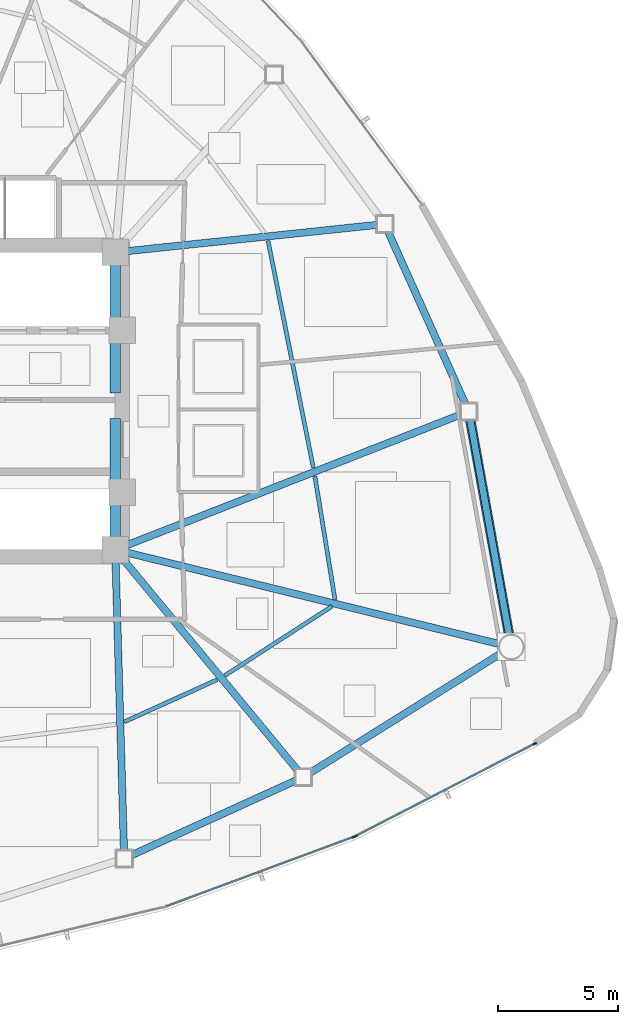
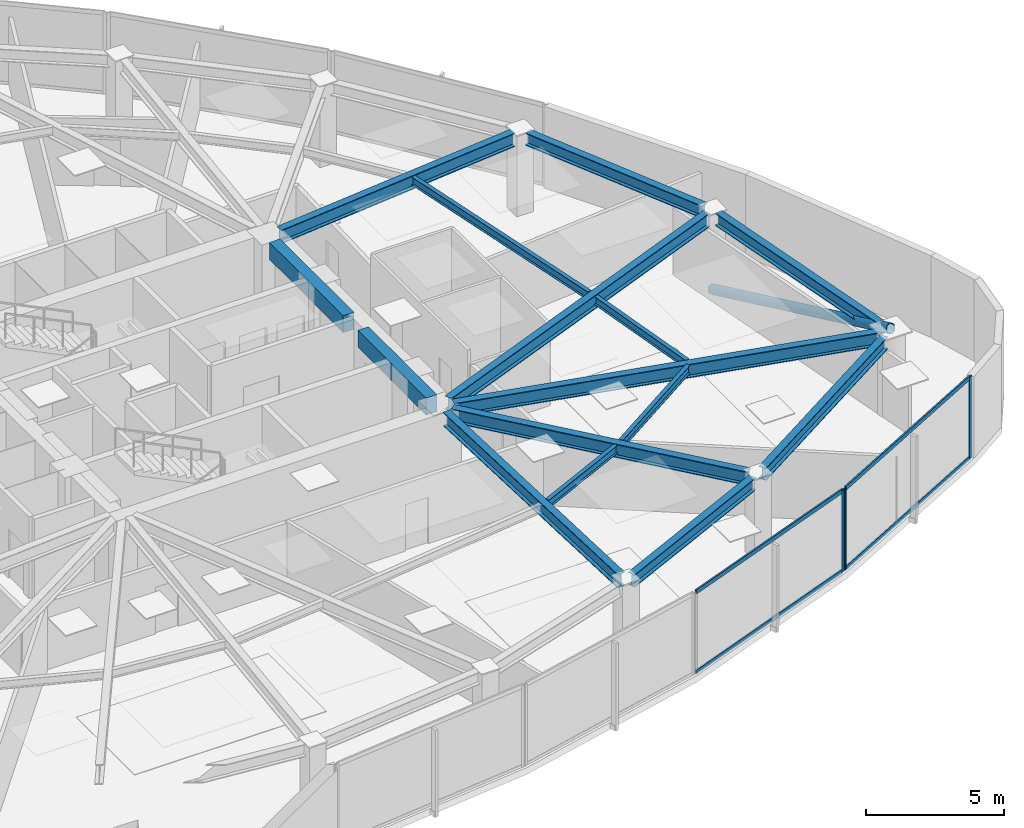
# One storey, part 6 of 17: 15 beams, 8 members, 2 elements without a shape of their own.
"""IFC4 building model written with IfcOpenShell, lengths in metres."""

import ifcopenshell
import ifcopenshell.guid

model = None  # the IFC model being written
_history = None  # IfcOwnerHistory: only IFC2X3 demands one
_inside = {}  # id of a spatial element -> (the spatial element, [elements in it])
_under = {}  # id of a project, library or spatial element -> (it, [spatial elements below it])
_declared = {}  # id of a project -> (the project, [libraries it declares])
_typed = {}  # id of a type object -> (the type object, [elements of that type])
_made_of = {}  # id of a material, layer set ... -> (it, [elements and type objects made of it])


def new_model(schema):
    """Start an empty IFC model of exactly this schema.

    Asked for "IFC4X3", IfcOpenShell would pick the latest addendum, in which some entities
    have other attributes; the version numbers below select the first issue.
    IFC2X3 requires an IfcOwnerHistory on every rooted entity: one is made here for all.
    """
    global model, _history
    if schema == "IFC4X3":
        model = ifcopenshell.file(schema_version=(4, 3, 0, 0))
    else:
        model = ifcopenshell.file(schema=schema)
    _inside.clear()
    _under.clear()
    _declared.clear()
    _typed.clear()
    _made_of.clear()
    _history = None
    if model.schema == "IFC2X3":
        org = make("IfcOrganization", Name="unknown")
        user = make(
            "IfcPersonAndOrganization",
            ThePerson=make("IfcPerson", FamilyName="unknown"),
            TheOrganization=org,
        )
        app = make(
            "IfcApplication",
            ApplicationDeveloper=org,
            Version="unknown",
            ApplicationFullName="unknown",
            ApplicationIdentifier="unknown",
        )
        _history = make(
            "IfcOwnerHistory",
            OwningUser=user,
            OwningApplication=app,
            ChangeAction="ADDED",
            CreationDate=0,
        )
    return model


def make(cls, **values):
    """One entity of the class cls with the attributes given. An attribute that is None is left unset."""
    return model.create_entity(
        cls, **{name: value for name, value in values.items() if value is not None}
    )


def rooted(cls, **values):
    """An entity with a GlobalId (a new one), such as an element, a storey or a relation."""
    return make(cls, GlobalId=ifcopenshell.guid.new(), OwnerHistory=_history, **values)


def si_unit(unit_type, name, prefix=None):
    """IfcSIUnit, for example si_unit("LENGTHUNIT", "METRE", prefix="MILLI")."""
    return make("IfcSIUnit", UnitType=unit_type, Prefix=prefix, Name=name)


def assignment(units):
    """IfcUnitAssignment: the units of a project."""
    return None if units is None else make("IfcUnitAssignment", Units=units)


def point(xyz):
    """IfcCartesianPoint."""
    return None if xyz is None else make("IfcCartesianPoint", Coordinates=xyz)


def direction(xyz):
    """IfcDirection."""
    return None if xyz is None else make("IfcDirection", DirectionRatios=xyz)


def frame(location, z_axis=None, x_axis=None):
    """IfcAxis2Placement3D, a coordinate frame: its origin and axes. An axis left out is left unset."""
    return make(
        "IfcAxis2Placement3D",
        Location=point(location),
        Axis=direction(z_axis),
        RefDirection=direction(x_axis),
    )


def frame_2d(location, x_axis=None):
    """IfcAxis2Placement2D, a coordinate frame in the plane: its origin and x axis."""
    return make(
        "IfcAxis2Placement2D", Location=point(location), RefDirection=direction(x_axis)
    )


def origin():
    """The frame at (0, 0, 0) with its axes left unset."""
    return frame((0.0, 0.0, 0.0))


def origin_2d():
    """The frame at (0, 0) in the plane with its x axis left unset."""
    return frame_2d((0.0, 0.0))


def place(relative_to, where):
    """IfcLocalPlacement: puts the frame where relative to a parent placement (None: the world)."""
    return make(
        "IfcLocalPlacement", PlacementRelTo=relative_to, RelativePlacement=where
    )


def context(
    kind, dimensions, precision=None, world=None, true_north=None, identifier=None
):
    """IfcGeometricRepresentationContext, for example the 3D "Model" context."""
    return make(
        "IfcGeometricRepresentationContext",
        ContextIdentifier=identifier,
        ContextType=kind,
        CoordinateSpaceDimension=dimensions,
        Precision=precision,
        WorldCoordinateSystem=world,
        TrueNorth=true_north,
    )


def subcontext(parent, identifier, kind, view, scale=None):
    """IfcGeometricRepresentationSubContext, for example "Body" below "Model"."""
    return make(
        "IfcGeometricRepresentationSubContext",
        ContextIdentifier=identifier,
        ContextType=kind,
        ParentContext=parent,
        TargetScale=scale,
        TargetView=view,
    )


def project(units=None, contexts=None):
    """IfcProject with its units and contexts."""
    return rooted(
        "IfcProject",
        Name="project",
        RepresentationContexts=contexts,
        UnitsInContext=assignment(units),
    )


def spatial(cls, under=None, at=None, **own):
    """A site, building, storey or space (cls), placed at a placement, below another one or the project."""
    s = rooted(cls, ObjectPlacement=at, **own)
    if under is not None:
        _under.setdefault(under.id(), (under, []))[1].append(s)
    return s


def profile(cls, at=None, kind="AREA", **sizes):
    """A parametric profile (cls). Its sizes go by their IFC names, for example OverallWidth=200.0."""
    return make(cls, ProfileType=kind, Position=at, **sizes)


def rectangle(**sizes):
    """IfcRectangleProfileDef."""
    return profile("IfcRectangleProfileDef", **sizes)


def hollow_rectangle(**sizes):
    """IfcRectangleHollowProfileDef."""
    return profile("IfcRectangleHollowProfileDef", **sizes)


def hollow_circle(**sizes):
    """IfcCircleHollowProfileDef."""
    return profile("IfcCircleHollowProfileDef", **sizes)


def i_section(**sizes):
    """IfcIShapeProfileDef."""
    return profile("IfcIShapeProfileDef", **sizes)


def extrude(swept, where, along, depth):
    """IfcExtrudedAreaSolid: the profile swept, set in the frame where, extruded along a direction by depth."""
    return make(
        "IfcExtrudedAreaSolid",
        SweptArea=swept,
        Position=where,
        ExtrudedDirection=direction(along),
        Depth=depth,
    )


def shape(context_of_items, identifier, shape_type, items):
    """IfcShapeRepresentation: the items that make up one representation, for example the "Body"."""
    return make(
        "IfcShapeRepresentation",
        ContextOfItems=context_of_items,
        RepresentationIdentifier=identifier,
        RepresentationType=shape_type,
        Items=items,
    )


def source(mapping_origin, context_of_items, identifier, shape_type, items):
    """IfcRepresentationMap: a shape defined once, which mapped items show again and again."""
    return make(
        "IfcRepresentationMap",
        MappingOrigin=mapping_origin,
        MappedRepresentation=shape(context_of_items, identifier, shape_type, items),
    )


def transform(
    local_origin,
    x_axis=None,
    y_axis=None,
    z_axis=None,
    scale=None,
    scale2=None,
    scale3=None,
    uniform=True,
):
    """IfcCartesianTransformationOperator3D, or its non-uniform kind. x_axis, y_axis, z_axis: its Axis1, 2, 3."""
    if uniform:
        return make(
            "IfcCartesianTransformationOperator3D",
            Axis1=direction(x_axis),
            Axis2=direction(y_axis),
            LocalOrigin=point(local_origin),
            Scale=scale,
            Axis3=direction(z_axis),
        )
    return make(
        "IfcCartesianTransformationOperator3DnonUniform",
        Axis1=direction(x_axis),
        Axis2=direction(y_axis),
        LocalOrigin=point(local_origin),
        Scale=scale,
        Axis3=direction(z_axis),
        Scale2=scale2,
        Scale3=scale3,
    )


def mapped(mapping_source, mapping_target):
    """IfcMappedItem: shows the shape of a source again, moved by a transform."""
    return make(
        "IfcMappedItem", MappingSource=mapping_source, MappingTarget=mapping_target
    )


def material(Name=None, Category=None):
    """IfcMaterial."""
    return make("IfcMaterial", Name=Name, Category=Category)


def layer(
    of_material, thickness, ventilated=None, Name=None, Category=None, Priority=None
):
    """IfcMaterialLayer: one layer of a wall or slab, of a material (None: an air gap)."""
    return make(
        "IfcMaterialLayer",
        Material=of_material,
        LayerThickness=thickness,
        IsVentilated=ventilated,
        Name=Name,
        Category=Category,
        Priority=Priority,
    )


def layer_set(layers, Name=None):
    """IfcMaterialLayerSet."""
    return make("IfcMaterialLayerSet", MaterialLayers=layers, LayerSetName=Name)


def material_profile(
    of_material, cross_section, Name=None, Category=None, Priority=None
):
    """IfcMaterialProfile: a cross section and its material."""
    return make(
        "IfcMaterialProfile",
        Name=Name,
        Material=of_material,
        Profile=cross_section,
        Priority=Priority,
        Category=Category,
    )


def profile_set(profiles, Name=None, composite=None):
    """IfcMaterialProfileSet."""
    return make(
        "IfcMaterialProfileSet",
        Name=Name,
        MaterialProfiles=profiles,
        CompositeProfile=composite,
    )


def made_of(thing, what):
    """Note that an element or type object is made of a material, layer set ...; save() writes the relation."""
    if what is not None:
        _made_of.setdefault(what.id(), (what, []))[1].append(thing)
    return thing


def type_object(cls, material=None, **own):
    """A type object (cls), such as IfcWallType, which elements share."""
    return made_of(rooted(cls, **own), material)


def type_shapes(of_type, sources):
    """Give a type object the sources (RepresentationMaps) that its elements show as mapped items."""
    of_type.RepresentationMaps = sources


def element(
    cls,
    number,
    at=None,
    inside=None,
    cuts=None,
    type_object=None,
    material=None,
    context=None,
    identifier="Body",
    shape_type=None,
    held_by="IfcProductDefinitionShape",
    body=None,
    shapes=None,
    **own,
):
    """One element of the class cls, such as IfcWall. Its Tag is "e" and its number.

    at: its placement. inside: the storey or other place that contains it. cuts: it is an
    opening in that element (IfcRelVoidsElement). A single representation is given by context,
    identifier, shape_type and body (its items); several are given by shapes. held_by: the class
    of the entity that holds the representations. save() writes the other relations.
    """
    e = rooted(cls, Tag="e%d" % number, ObjectPlacement=at, **own)
    if body is not None:
        shapes = [shape(context, identifier, shape_type, body)]
    if shapes is not None:
        e.Representation = make(held_by, Representations=shapes)
    if inside is not None:
        _inside.setdefault(inside.id(), (inside, []))[1].append(e)
    if cuts is not None:
        rooted(
            "IfcRelVoidsElement", RelatingBuildingElement=cuts, RelatedOpeningElement=e
        )
    if type_object is not None:
        _typed.setdefault(type_object.id(), (type_object, []))[1].append(e)
    return made_of(e, material)


def aggregate(whole, parts):
    """IfcRelAggregates: a whole, such as a stair, and the parts it consists of."""
    return rooted("IfcRelAggregates", RelatingObject=whole, RelatedObjects=parts)


def save(model, path):
    """Write the relations noted so far, then the file.

    IfcRelAggregates (storeys below a building ...), IfcRelContainedInSpatialStructure (elements
    in a storey), IfcRelDefinesByType, IfcRelAssociatesMaterial and IfcRelDeclares: one each for
    every whole, place, type object, material and project.
    """
    for whole, parts in _under.values():
        aggregate(whole, parts)
    for where, things in _inside.values():
        rooted(
            "IfcRelContainedInSpatialStructure",
            RelatedElements=things,
            RelatingStructure=where,
        )
    for kind, things in _typed.values():
        rooted("IfcRelDefinesByType", RelatedObjects=things, RelatingType=kind)
    for what, things in _made_of.values():
        rooted("IfcRelAssociatesMaterial", RelatedObjects=things, RelatingMaterial=what)
    for by, libraries in _declared.values():
        rooted("IfcRelDeclares", RelatingContext=by, RelatedDefinitions=libraries)
    model.write(path)


model = new_model("IFC4")

# Units and contexts
model_context = context("Model", 3, precision=1e-05, world=origin(), true_north=direction((0.0, 1.0)))
body_context = subcontext(model_context, "Body", "Model", "MODEL_VIEW")
ifc_project = project(units=[si_unit("LENGTHUNIT", "METRE"), si_unit("AREAUNIT", "SQUARE_METRE"), si_unit("VOLUMEUNIT", "CUBIC_METRE"), si_unit("PLANEANGLEUNIT", "RADIAN"), si_unit("MASSUNIT", "GRAM", prefix="KILO")], contexts=[model_context])

# Site, building, storey
site_placement = place(None, origin())
site = spatial("IfcSite", under=ifc_project, at=site_placement, CompositionType="ELEMENT")
building_placement = place(site_placement, origin())
building = spatial("IfcBuilding", under=site, at=building_placement, Name="Tavelor Broadcast Tower", CompositionType="ELEMENT")
storey_placement = place(building_placement, frame((0.0, 0.0, 66.60009765625)))
storey = spatial("IfcBuildingStorey", under=building, at=storey_placement, Name="L15", CompositionType="ELEMENT", Elevation=66.60009765625)

# Beams
ifc_material_1 = material(Name="Concrete C40/50", Category="concrete")
ifc_material_profile_1 = material_profile(ifc_material_1, rectangle(XDim=0.449951171875, YDim=0.75, at=origin_2d()), Name="RC 450x750")
ifc_profile_set_1 = profile_set([ifc_material_profile_1], Name="Concrete C40/50")
beam_type_1 = type_object("IfcBeamType", Name="Basement Core Trim Beam 450x750", PredefinedType="BEAM", material=ifc_profile_set_1)
beam_1_placement = place(storey_placement, frame((56.60009765625, 45.327880859375, 3.224853515625), z_axis=(0.0, 1.0, 0.0), x_axis=(-1.0, 0.0, 0.0)))
element("IfcBeam", 1, at=beam_1_placement, inside=storey, type_object=beam_type_1, Name="L15 Core East-N Tie Girder", PredefinedType="BEAM", context=body_context, shape_type="SweptSolid", body=[
    extrude(rectangle(XDim=0.449951171875, YDim=0.75, at=origin_2d()), origin(), (0.0, 0.0, 1.0), 5.34423828125),
])
beam_2_placement = place(storey_placement, frame((56.60009765625, 39.327880859375, 3.224853515625), z_axis=(0.0, 1.0, 0.0), x_axis=(-1.0, 0.0, 0.0)))
element("IfcBeam", 2, at=beam_2_placement, inside=storey, type_object=beam_type_1, Name="L15 Core East-S Tie Girder", PredefinedType="BEAM", context=body_context, shape_type="SweptSolid", body=[
    extrude(rectangle(XDim=0.449951171875, YDim=0.75, at=origin_2d()), origin(), (0.0, 0.0, 1.0), 4.944091796875),
])
ifc_material_2 = material(Name="Steel S355", Category="steel")
ifc_material_profile_2 = material_profile(ifc_material_2, i_section(OverallWidth=0.169921875, OverallDepth=0.360107421875, WebThickness=0.008056640625, FlangeThickness=0.0126953125, at=origin_2d()), Name="IPE 360")
ifc_profile_set_2 = profile_set([ifc_material_profile_2], Name="Steel S355")
beam_type_2 = type_object("IfcBeamType", Name="Composite Floor Joist T2 IPE 360", PredefinedType="JOIST", material=ifc_profile_set_2)
beam_3_placement = place(storey_placement, frame((56.976318359375, 31.61865234375, 3.419921875), z_axis=(0.910576347723, 0.413340918573, 0.0), x_axis=(-0.413340918573, 0.910576347723, 0.0)))
element("IfcBeam", 3, at=beam_3_placement, inside=storey, type_object=beam_type_2, Name="L15 Secondary Composite Floor Joist 11", PredefinedType="JOIST", context=body_context, shape_type="SweptSolid", body=[
    extrude(i_section(OverallWidth=0.169921875, OverallDepth=0.360107421875, WebThickness=0.008056640625, FlangeThickness=0.0126953125, at=origin_2d()), origin(), (0.0, 0.0, 1.0), 4.26025390625),
])
beam_4_placement = place(storey_placement, frame((61.172607421875, 33.552490234375, 3.419921875), z_axis=(0.839830816691, 0.542848228639, 0.0), x_axis=(-0.542848228639, 0.839830816691, 0.0)))
element("IfcBeam", 4, at=beam_4_placement, inside=storey, type_object=beam_type_2, Name="L15 Secondary Composite Floor Joist 12", PredefinedType="JOIST", context=body_context, shape_type="SweptSolid", body=[
    extrude(i_section(OverallWidth=0.169921875, OverallDepth=0.360107421875, WebThickness=0.008056640625, FlangeThickness=0.0126953125, at=origin_2d()), origin(), (0.0, 0.0, 1.0), 5.325439453125),
])
beam_5_placement = place(storey_placement, frame((65.767822265625, 36.72021484375, 3.419921875), z_axis=(-0.161277112784, 0.986909161419, 0.0), x_axis=(-0.986909161419, -0.161277112784, 0.0)))
element("IfcBeam", 5, at=beam_5_placement, inside=storey, type_object=beam_type_2, Name="L15 Secondary Composite Floor Joist 13", PredefinedType="JOIST", context=body_context, shape_type="SweptSolid", body=[
    extrude(i_section(OverallWidth=0.169921875, OverallDepth=0.360107421875, WebThickness=0.008056640625, FlangeThickness=0.0126953125, at=origin_2d()), origin(), (0.0, 0.0, 1.0), 5.213623046875),
])
beam_6_placement = place(storey_placement, frame((64.8623046875, 42.2216796875, 3.419921875), z_axis=(-0.195581157194, 0.980687519524, 0.0), x_axis=(-0.980687519524, -0.195581157194, 0.0)))
element("IfcBeam", 6, at=beam_6_placement, inside=storey, type_object=beam_type_2, Name="L15 Secondary Composite Floor Joist 14", PredefinedType="JOIST", context=body_context, shape_type="SweptSolid", body=[
    extrude(i_section(OverallWidth=0.169921875, OverallDepth=0.360107421875, WebThickness=0.008056640625, FlangeThickness=0.0126953125, at=origin_2d()), origin(), (0.0, 0.0, 1.0), 9.654296875),
])
ifc_material_profile_3 = material_profile(ifc_material_2, i_section(OverallWidth=0.300048828125, OverallDepth=0.550048828125, WebThickness=0.014892578125, FlangeThickness=0.029052734375, at=origin_2d()), Name="HEB 550")
ifc_profile_set_3 = profile_set([ifc_material_profile_3], Name="Steel S355")
beam_type_3 = type_object("IfcBeamType", Name="Perimeter Spandrel Beam T2 HEB 550", PredefinedType="SPANDREL", material=ifc_profile_set_3)
beam_7_placement = place(storey_placement, frame((57.28125, 26.060546875, 3.324951171875), z_axis=(0.910420869291, 0.413683261395, 0.0), x_axis=(-0.413683261395, 0.910420869291, 0.0)))
element("IfcBeam", 7, at=beam_7_placement, inside=storey, type_object=beam_type_3, Name="L15 Framed-Tube Ring Spandrel 11", PredefinedType="SPANDREL", context=body_context, shape_type="SweptSolid", body=[
    extrude(i_section(OverallWidth=0.300048828125, OverallDepth=0.550048828125, WebThickness=0.014892578125, FlangeThickness=0.029052734375, at=origin_2d()), origin(), (0.0, 0.0, 1.0), 7.531005859375),
])
beam_8_placement = place(storey_placement, frame((64.728271484375, 29.493408203125, 3.324951171875), z_axis=(0.847666386228, 0.530529638813, 0.0), x_axis=(-0.530529638813, 0.847666386228, 0.0)))
element("IfcBeam", 8, at=beam_8_placement, inside=storey, type_object=beam_type_3, Name="L15 Framed-Tube Ring Spandrel 12", PredefinedType="SPANDREL", context=body_context, shape_type="SweptSolid", body=[
    extrude(i_section(OverallWidth=0.300048828125, OverallDepth=0.550048828125, WebThickness=0.014892578125, FlangeThickness=0.029052734375, at=origin_2d()), origin(), (0.0, 0.0, 1.0), 9.385009765625),
])
beam_9_placement = place(storey_placement, frame((73.02685546875, 35.248046875, 3.324951171875), z_axis=(-0.177746542691, 0.984076301189, 0.0), x_axis=(-0.984076301189, -0.177746542691, 0.0)))
element("IfcBeam", 9, at=beam_9_placement, inside=storey, type_object=beam_type_3, Name="L15 Framed-Tube Ring Spandrel 13", PredefinedType="SPANDREL", context=body_context, shape_type="SweptSolid", body=[
    extrude(i_section(OverallWidth=0.300048828125, OverallDepth=0.550048828125, WebThickness=0.014892578125, FlangeThickness=0.029052734375, at=origin_2d()), origin(), (0.0, 0.0, 1.0), 9.13134765625),
])
beam_10_placement = place(storey_placement, frame((71.206787109375, 44.87109375, 3.324951171875), z_axis=(-0.408951132019, 0.912556284084, 0.0), x_axis=(-0.912556284084, -0.408951132019, 0.0)))
element("IfcBeam", 10, at=beam_10_placement, inside=storey, type_object=beam_type_3, Name="L15 Framed-Tube Ring Spandrel 14", PredefinedType="SPANDREL", context=body_context, shape_type="SweptSolid", body=[
    extrude(i_section(OverallWidth=0.300048828125, OverallDepth=0.550048828125, WebThickness=0.014892578125, FlangeThickness=0.029052734375, at=origin_2d()), origin(), (0.0, 0.0, 1.0), 7.895263671875),
])

# Member
ifc_material_profile_4 = material_profile(ifc_material_2, hollow_circle(Radius=0.203125, WallThickness=0.02001953125, at=origin_2d()), Name="CHS 406.4x20")
ifc_profile_set_4 = profile_set([ifc_material_profile_4], Name="Steel S355")
member_type_1 = type_object("IfcMemberType", Name="Perimeter Tube Brace T2 CHS 406.4x20", PredefinedType="BRACE", material=ifc_profile_set_4)
member_1_placement = place(storey_placement, frame((71.343994140625, 44.564697265625, 0.0), z_axis=(0.167207286332, -0.925692306634, 0.339316190059), x_axis=(0.984075144607, 0.177752945874, 0.0)))
element("IfcMember", 11, at=member_1_placement, inside=storey, type_object=member_type_1, Name="L15 Corner Tube Diagonal Brace 3", PredefinedType="BRACE", context=body_context, shape_type="SweptSolid", body=[
    extrude(hollow_circle(Radius=0.203125, WallThickness=0.02001953125, at=origin_2d()), origin(), (0.0, 0.0, 1.0), 10.609130859375),
])

# Beams
ifc_material_profile_5 = material_profile(ifc_material_2, i_section(OverallWidth=0.300048828125, OverallDepth=0.60009765625, WebThickness=0.015380859375, FlangeThickness=0.030029296875, at=origin_2d()), Name="HEB 600")
ifc_profile_set_5 = profile_set([ifc_material_profile_5], Name="Steel S355")
beam_type_4 = type_object("IfcBeamType", Name="Radial Floor Girder T2 HEB 600", PredefinedType="BEAM", material=ifc_profile_set_5)
beam_11_placement = place(storey_placement, frame((56.615478515625, 38.272216796875, 3.2998046875), z_axis=(0.029126279866, -0.999575739912, 0.0), x_axis=(0.999575739912, 0.029126279866, 0.0)))
element("IfcBeam", 12, at=beam_11_placement, inside=storey, type_object=beam_type_4, Name="L15 Radial Primary Floor Girder 11", PredefinedType="BEAM", context=body_context, shape_type="SweptSolid", body=[
    extrude(i_section(OverallWidth=0.300048828125, OverallDepth=0.60009765625, WebThickness=0.015380859375, FlangeThickness=0.030029296875, at=origin_2d()), origin(), (0.0, 0.0, 1.0), 12.02001953125),
])
beam_12_placement = place(storey_placement, frame((56.9365234375, 38.39306640625, 3.2998046875), z_axis=(0.637277760564, -0.770634190709, 0.0), x_axis=(0.770634190709, 0.637277760564, 0.0)))
element("IfcBeam", 13, at=beam_12_placement, inside=storey, type_object=beam_type_4, Name="L15 Radial Primary Floor Girder 12", PredefinedType="BEAM", context=body_context, shape_type="SweptSolid", body=[
    extrude(i_section(OverallWidth=0.300048828125, OverallDepth=0.60009765625, WebThickness=0.015380859375, FlangeThickness=0.030029296875, at=origin_2d()), origin(), (0.0, 0.0, 1.0), 11.44384765625),
])
beam_13_placement = place(storey_placement, frame((57.11279296875, 38.674072265625, 3.2998046875), z_axis=(0.971151145926, -0.238464780979, 0.0), x_axis=(0.238464780979, 0.971151145926, 0.0)))
element("IfcBeam", 14, at=beam_13_placement, inside=storey, type_object=beam_type_4, Name="L15 Radial Primary Floor Girder 13", PredefinedType="BEAM", context=body_context, shape_type="SweptSolid", body=[
    extrude(i_section(OverallWidth=0.300048828125, OverallDepth=0.60009765625, WebThickness=0.015380859375, FlangeThickness=0.030029296875, at=origin_2d()), origin(), (0.0, 0.0, 1.0), 15.96826171875),
])
beam_14_placement = place(storey_placement, frame((57.091796875, 38.9921875, 3.2998046875), z_axis=(0.931341899941, 0.36414593972, 0.0), x_axis=(-0.36414593972, 0.931341899941, 0.0)))
element("IfcBeam", 15, at=beam_14_placement, inside=storey, type_object=beam_type_4, Name="L15 Radial Primary Floor Girder 14", PredefinedType="BEAM", context=body_context, shape_type="SweptSolid", body=[
    extrude(i_section(OverallWidth=0.300048828125, OverallDepth=0.60009765625, WebThickness=0.015380859375, FlangeThickness=0.030029296875, at=origin_2d()), origin(), (0.0, 0.0, 1.0), 14.967041015625),
])
beam_15_placement = place(storey_placement, frame((57.125, 51.255126953125, 3.2998046875), z_axis=(0.994510577777, 0.104636086941, 0.0), x_axis=(-0.104636086941, 0.994510577777, 0.0)))
element("IfcBeam", 16, at=beam_15_placement, inside=storey, type_object=beam_type_4, Name="L15 Radial Primary Floor Girder 15", PredefinedType="BEAM", context=body_context, shape_type="SweptSolid", body=[
    extrude(i_section(OverallWidth=0.300048828125, OverallDepth=0.60009765625, WebThickness=0.015380859375, FlangeThickness=0.030029296875, at=origin_2d()), origin(), (0.0, 0.0, 1.0), 10.43896484375),
])

# Curtain wall, member
ifc_material_3 = material(Name="Architectural Anodized Aluminium", Category="aluminium")
ifc_layer = layer(ifc_material_3, 0.179931640625)
ifc_layer_set = layer_set([ifc_layer], Name="Architectural Anodized Aluminium")
curtain_wall_type = type_object("IfcCurtainWallType", Name="Tower Low-Zone Unitised Curtain Wall CW02", PredefinedType="NOTDEFINED", material=ifc_layer_set)
curtain_wall_1_placement = place(storey_placement, origin())
curtain_wall_1 = element("IfcCurtainWall", 17, at=curtain_wall_1_placement, inside=storey, type_object=curtain_wall_type, Name="L15 Curtain Wall CW02 Run 139", PredefinedType="NOTDEFINED")
ifc_material_profile_6 = material_profile(ifc_material_3, hollow_rectangle(XDim=0.06494140625, YDim=0.179931640625, WallThickness=0.02197265625, at=origin_2d()), Name="RHS 65x180x22")
ifc_profile_set_6 = profile_set([ifc_material_profile_6], Name="Architectural Anodized Aluminium")
member_type_2 = type_object("IfcMemberType", Name="CW02 Extruded Aluminium Mullion 65x180", PredefinedType="MULLION", material=ifc_profile_set_6)
shared_shape_1 = source(origin(), body_context, "Body", "SweptSolid", [
    extrude(hollow_rectangle(XDim=0.06494140625, YDim=0.179931640625, WallThickness=0.02197265625, at=origin_2d()), origin(), (0.0, 0.0, 1.0), 3.599853515625),
])
type_shapes(member_type_2, [shared_shape_1])
member_2_placement = place(storey_placement, frame((66.55419921875, 26.82421875, 0.0), z_axis=(0.0, 0.0, 1.0), x_axis=(-0.34736223119, 0.937731027717, 0.0)))
member_2 = element("IfcMember", 18, at=member_2_placement, type_object=member_type_2, Name="CW02 mullion 2", PredefinedType="MULLION", context=body_context, shape_type="MappedRepresentation", body=[
    mapped(shared_shape_1, transform((0.0, 0.0, 0.0), scale=1.0)),
])

# Curtain wall, members
curtain_wall_2_placement = place(storey_placement, origin())
curtain_wall_2 = element("IfcCurtainWall", 19, at=curtain_wall_2_placement, inside=storey, type_object=curtain_wall_type, Name="L15 Curtain Wall CW02 Run 140", PredefinedType="NOTDEFINED")
member_3_placement = place(storey_placement, frame((66.640869140625, 26.8623046875, 0.0), z_axis=(0.0, 0.0, 1.0), x_axis=(-0.45829176204, 0.888801811906, 0.0)))
member_3 = element("IfcMember", 20, at=member_3_placement, type_object=member_type_2, Name="CW02 mullion 1", PredefinedType="MULLION", context=body_context, shape_type="MappedRepresentation", body=[
    mapped(shared_shape_1, transform((0.0, 0.0, 0.0), scale=1.0)),
])
member_4_placement = place(storey_placement, frame((74.094970703125, 30.705810546875, 0.0), z_axis=(0.0, 0.0, 1.0), x_axis=(-0.45829176204, 0.888801811906, 0.0)))
member_4 = element("IfcMember", 21, at=member_4_placement, type_object=member_type_2, Name="CW02 mullion 2", PredefinedType="MULLION", context=body_context, shape_type="MappedRepresentation", body=[
    mapped(shared_shape_1, transform((0.0, 0.0, 0.0), scale=1.0)),
])

# Member
ifc_material_profile_7 = material_profile(ifc_material_3, hollow_rectangle(XDim=0.06494140625, YDim=0.179931640625, WallThickness=0.02197265625, at=origin_2d()), Name="RHS 65x180x22")
ifc_profile_set_7 = profile_set([ifc_material_profile_7], Name="Architectural Anodized Aluminium")
member_type_3 = type_object("IfcMemberType", Name="CW02 Extruded Aluminium Transom 65x180", PredefinedType="USERDEFINED", material=ifc_profile_set_7)
shared_shape_2 = source(origin(), body_context, "Body", "SweptSolid", [
    extrude(hollow_rectangle(XDim=0.06494140625, YDim=0.179931640625, WallThickness=0.02197265625, at=origin_2d()), origin(), (0.0, 0.0, 1.0), 8.305419921875),
])
member_5_placement = place(storey_placement, frame((58.7353515625, 23.927734375, 0.032470703125), z_axis=(0.937731384915, 0.347361266905, 0.0), x_axis=(-0.347361266905, 0.937731384915, 0.0)))
member_5 = element("IfcMember", 22, at=member_5_placement, type_object=member_type_3, Name="CW02 transom 1.1", ObjectType="TRANSOM", PredefinedType="USERDEFINED", context=body_context, shape_type="MappedRepresentation", body=[
    mapped(shared_shape_2, transform((0.0, 0.0, 0.0), scale=1.0)),
])

member_6_placement = place(storey_placement, frame((58.7353515625, 23.927734375, 3.5673828125), z_axis=(0.937731384915, 0.347361266905, 0.0), x_axis=(-0.347361266905, 0.937731384915, 0.0)))
member_6 = element("IfcMember", 23, at=member_6_placement, type_object=member_type_3, Name="CW02 transom 1.2", ObjectType="TRANSOM", PredefinedType="USERDEFINED", context=body_context, shape_type="MappedRepresentation", body=[
    mapped(shared_shape_2, transform((0.0, 0.0, 0.0), scale=1.0)),
])

aggregate(curtain_wall_1, [member_2, member_5, member_6])

shared_shape_3 = source(origin(), body_context, "Body", "SweptSolid", [
    extrude(hollow_rectangle(XDim=0.06494140625, YDim=0.179931640625, WallThickness=0.02197265625, at=origin_2d()), origin(), (0.0, 0.0, 1.0), 8.321533203125),
])
type_shapes(member_type_3, [shared_shape_2, shared_shape_3])
member_7_placement = place(storey_placement, frame((66.669921875, 26.877197265625, 0.032470703125), z_axis=(0.888801486891, 0.458292392366, 0.0), x_axis=(-0.458292392366, 0.888801486891, 0.0)))
member_7 = element("IfcMember", 24, at=member_7_placement, type_object=member_type_3, Name="CW02 transom 1.1", ObjectType="TRANSOM", PredefinedType="USERDEFINED", context=body_context, shape_type="MappedRepresentation", body=[
    mapped(shared_shape_3, transform((0.0, 0.0, 0.0), scale=1.0)),
])

member_8_placement = place(storey_placement, frame((66.669921875, 26.877197265625, 3.5673828125), z_axis=(0.888801486891, 0.458292392366, 0.0), x_axis=(-0.458292392366, 0.888801486891, 0.0)))
member_8 = element("IfcMember", 25, at=member_8_placement, type_object=member_type_3, Name="CW02 transom 1.2", ObjectType="TRANSOM", PredefinedType="USERDEFINED", context=body_context, shape_type="MappedRepresentation", body=[
    mapped(shared_shape_3, transform((0.0, 0.0, 0.0), scale=1.0)),
])

aggregate(curtain_wall_2, [member_3, member_4, member_7, member_8])

save(model, "model.ifc")
